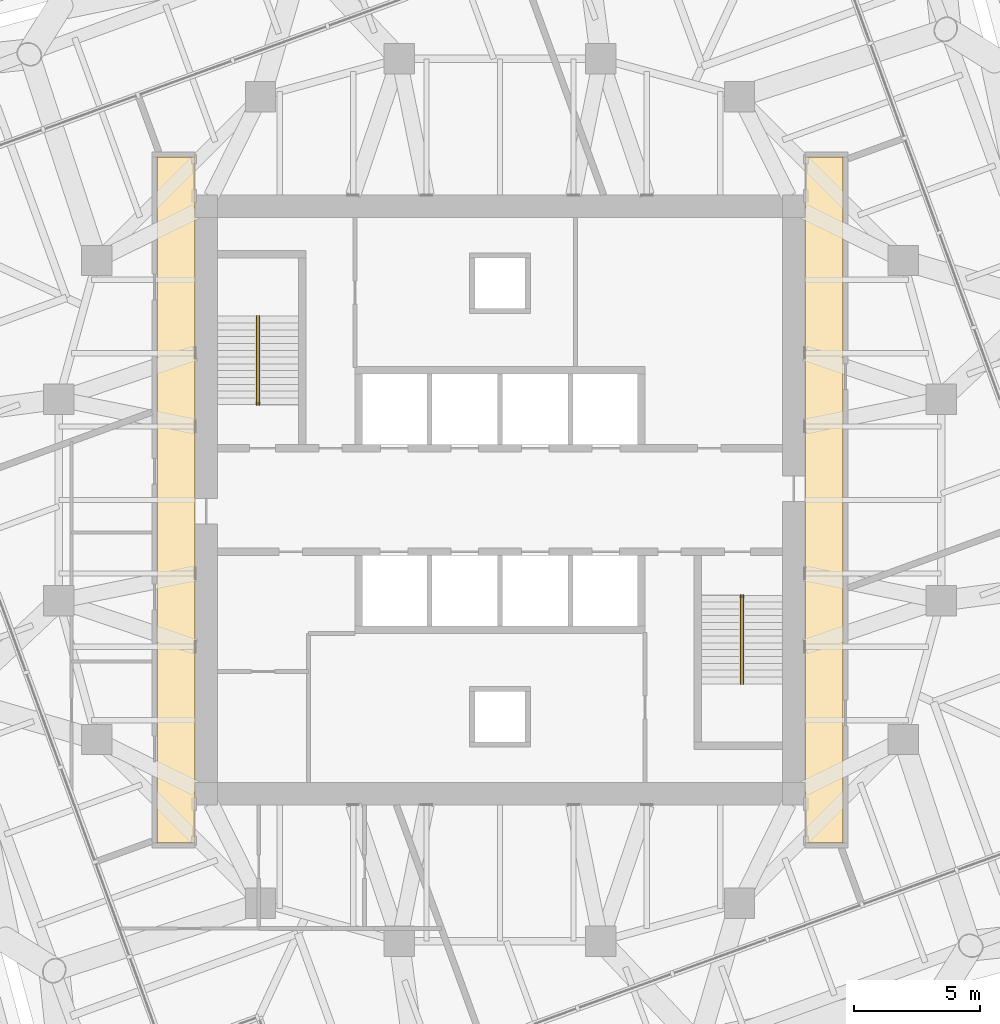
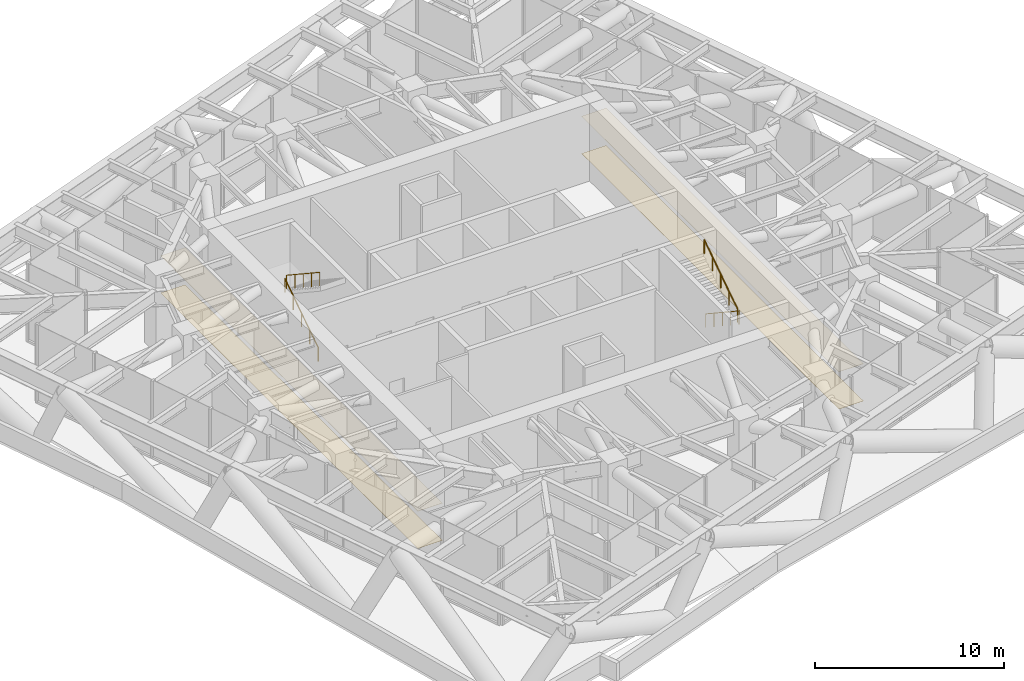
# One storey, part 12 of 12: 4 coverings, 4 railings, 2 elements without a shape of their own.
"""IFC4 building model written with IfcOpenShell, lengths in metres."""

from ifc_helpers import new_model, si_unit, direction, frame, origin, origin_2d, place, context, subcontext, project, spatial, polyline, circle, outline, extrude, material, layer, layer_set, type_object, element, aggregate, save


model = new_model("IFC4")

# Units and contexts
model_context = context("Model", 3, precision=1e-05, world=origin(), true_north=direction((0.0, 1.0)))
body_context = subcontext(model_context, "Body", "Model", "MODEL_VIEW")
ifc_project = project(units=[si_unit("LENGTHUNIT", "METRE"), si_unit("AREAUNIT", "SQUARE_METRE"), si_unit("VOLUMEUNIT", "CUBIC_METRE"), si_unit("PLANEANGLEUNIT", "RADIAN"), si_unit("MASSUNIT", "GRAM", prefix="KILO")], contexts=[model_context])

# Site, building, storey
site_placement = place(None, origin())
site = spatial("IfcSite", under=ifc_project, at=site_placement, CompositionType="ELEMENT")
building_placement = place(site_placement, origin())
building = spatial("IfcBuilding", under=site, at=building_placement, Name="Torsade Residences", CompositionType="ELEMENT")
storey_placement = place(building_placement, frame((0.0, 0.0, 138.800048828125)))
storey = spatial("IfcBuildingStorey", under=building, at=storey_placement, Name="L38", CompositionType="ELEMENT", Elevation=138.800048828125)

# Coverings
ifc_material_1 = material(Name="Nylon carpet tile on underlay", Category="textile")
ifc_layer_1 = layer(ifc_material_1, 0.010009765625)
ifc_layer_set_1 = layer_set([ifc_layer_1], Name="Nylon carpet tile on underlay")
covering_type_1 = type_object("IfcCoveringType", Name="CORRIDOR CARPET TILE 10", PredefinedType="FLOORING", material=ifc_layer_set_1)
covering_1_placement = place(storey_placement, origin())
element("IfcCovering", 1, at=covering_1_placement, inside=storey, type_object=covering_type_1, Name="Corridor carpet L38", PredefinedType="FLOORING", context=body_context, shape_type="SweptSolid", body=[
    extrude(outline(polyline([(53.60009765625, 16.39990234375), (53.60009765625, 43.60009765625), (52.10009765625, 43.60009765625), (52.10009765625, 16.39990234375), (53.60009765625, 16.39990234375)])), origin(), (0.0, 0.0, 1.0), 0.010009765625),
])
covering_2_placement = place(storey_placement, origin())
element("IfcCovering", 2, at=covering_2_placement, inside=storey, type_object=covering_type_1, Name="Corridor carpet west L38", PredefinedType="FLOORING", context=body_context, shape_type="SweptSolid", body=[
    extrude(outline(polyline([(27.89990234375, 16.39990234375), (27.89990234375, 43.60009765625), (26.39990234375, 43.60009765625), (26.39990234375, 16.39990234375), (27.89990234375, 16.39990234375)])), origin(), (0.0, 0.0, 1.0), 0.010009765625),
])
ifc_material_2 = material(Name="Plasterboard on suspended steel grid", Category="steel")
ifc_layer_2 = layer(ifc_material_2, 0.012939453125)
ifc_layer_set_2 = layer_set([ifc_layer_2], Name="Plasterboard on suspended steel grid")
covering_type_2 = type_object("IfcCoveringType", Name="CORRIDOR SUSPENDED CEILING 13", PredefinedType="CEILING", material=ifc_layer_set_2)
covering_3_placement = place(storey_placement, frame((0.0, 0.0, 2.39990234375)))
element("IfcCovering", 3, at=covering_3_placement, inside=storey, type_object=covering_type_2, Name="Corridor ceiling L38", PredefinedType="CEILING", context=body_context, shape_type="SweptSolid", body=[
    extrude(outline(polyline([(53.60009765625, 16.39990234375), (53.60009765625, 43.60009765625), (52.10009765625, 43.60009765625), (52.10009765625, 16.39990234375), (53.60009765625, 16.39990234375)])), origin(), (0.0, 0.0, 1.0), 0.012939453125),
])
covering_4_placement = place(storey_placement, frame((0.0, 0.0, 2.39990234375)))
element("IfcCovering", 4, at=covering_4_placement, inside=storey, type_object=covering_type_2, Name="Corridor ceiling west L38", PredefinedType="CEILING", context=body_context, shape_type="SweptSolid", body=[
    extrude(outline(polyline([(27.89990234375, 16.39990234375), (27.89990234375, 43.60009765625), (26.39990234375, 43.60009765625), (26.39990234375, 16.39990234375), (27.89990234375, 16.39990234375)])), origin(), (0.0, 0.0, 1.0), 0.012939453125),
])

# Stair, railings
ifc_material_3 = material(Name="Precast concrete 40 MPa", Category="concrete")
stair_type = type_object("IfcStairType", Name="HALF-TURN FIRE STAIR 1500x5000", PredefinedType="HALF_TURN_STAIR", material=ifc_material_3)
stair_1_placement = place(storey_placement, origin())
stair_1 = element("IfcStair", 5, at=stair_1_placement, inside=storey, type_object=stair_type, Name="Stair ST1 L38", PredefinedType="HALF_TURN_STAIR")
ifc_material_4 = material(Name="Steel handrail", Category="steel")
railing_type = type_object("IfcRailingType", Name="STAIR HANDRAIL 900", PredefinedType="HANDRAIL", material=ifc_material_4)
railing_1_placement = place(storey_placement, frame((30.35009765625, 33.780029296875, 0.178466796875)))
railing_1 = element("IfcRailing", 6, at=railing_1_placement, type_object=railing_type, Name="Handrail ST1 flight 1 L38", PredefinedType="HANDRAIL", context=body_context, shape_type="SweptSolid", body=[
    extrude(circle(Radius=0.02392578125, at=origin_2d()), frame((0.0, 0.0, 0.8759765625), z_axis=(0.0, 0.834070780157, 0.551657442339), x_axis=(-1.0, 0.0, 0.0)), (0.0, 0.0, 1.0), 4.208251953125),
    extrude(circle(Radius=0.02099609375, at=origin_2d()), origin(), (0.0, 0.0, 1.0), 0.851806640625),
    extrude(circle(Radius=0.02099609375, at=origin_2d()), frame((0.0, 0.87744140625, 0.580322265625)), (0.0, 0.0, 1.0), 0.851806640625),
    extrude(circle(Radius=0.02099609375, at=origin_2d()), frame((0.0, 1.7548828125, 1.16064453125)), (0.0, 0.0, 1.0), 0.851806640625),
    extrude(circle(Radius=0.02099609375, at=origin_2d()), frame((0.0, 2.632568359375, 1.7412109375)), (0.0, 0.0, 1.0), 0.851806640625),
    extrude(circle(Radius=0.02099609375, at=origin_2d()), frame((0.0, 3.510009765625, 2.321533203125)), (0.0, 0.0, 1.0), 0.851806640625),
])
railing_2_placement = place(storey_placement, frame((30.449951171875, 37.2900390625, 2.678466796875)))
railing_2 = element("IfcRailing", 7, at=railing_2_placement, type_object=railing_type, Name="Handrail ST1 flight 2 L38", PredefinedType="HANDRAIL", context=body_context, shape_type="SweptSolid", body=[
    extrude(circle(Radius=0.02392578125, at=origin_2d()), frame((0.0, 0.0, 0.8759765625), z_axis=(0.0, -0.834070780157, 0.551657442339), x_axis=(1.0, 0.0, 0.0)), (0.0, 0.0, 1.0), 4.208251953125),
    extrude(circle(Radius=0.02099609375, at=origin_2d()), origin(), (0.0, 0.0, 1.0), 0.851806640625),
    extrude(circle(Radius=0.02099609375, at=origin_2d()), frame((0.0, -0.87744140625, 0.580322265625)), (0.0, 0.0, 1.0), 0.851806640625),
    extrude(circle(Radius=0.02099609375, at=origin_2d()), frame((0.0, -1.7548828125, 1.16064453125)), (0.0, 0.0, 1.0), 0.851806640625),
    extrude(circle(Radius=0.02099609375, at=origin_2d()), frame((0.0, -2.632568359375, 1.7412109375)), (0.0, 0.0, 1.0), 0.851806640625),
    extrude(circle(Radius=0.02099609375, at=origin_2d()), frame((0.0, -3.510009765625, 2.321533203125)), (0.0, 0.0, 1.0), 0.851806640625),
])
aggregate(stair_1, [railing_1, railing_2])

stair_2_placement = place(storey_placement, origin())
stair_2 = element("IfcStair", 8, at=stair_2_placement, inside=storey, type_object=stair_type, Name="Stair ST2 L38", PredefinedType="HALF_TURN_STAIR")
railing_3_placement = place(storey_placement, frame((49.64990234375, 26.219970703125, 0.178466796875)))
railing_3 = element("IfcRailing", 9, at=railing_3_placement, type_object=railing_type, Name="Handrail ST2 flight 1 L38", PredefinedType="HANDRAIL", context=body_context, shape_type="SweptSolid", body=[
    extrude(circle(Radius=0.02392578125, at=origin_2d()), frame((0.0, 0.0, 0.8759765625), z_axis=(0.0, -0.834070780157, 0.551657442339), x_axis=(1.0, 0.0, 0.0)), (0.0, 0.0, 1.0), 4.208251953125),
    extrude(circle(Radius=0.02099609375, at=origin_2d()), origin(), (0.0, 0.0, 1.0), 0.851806640625),
    extrude(circle(Radius=0.02099609375, at=origin_2d()), frame((0.0, -0.87744140625, 0.580322265625)), (0.0, 0.0, 1.0), 0.851806640625),
    extrude(circle(Radius=0.02099609375, at=origin_2d()), frame((0.0, -1.7548828125, 1.16064453125)), (0.0, 0.0, 1.0), 0.851806640625),
    extrude(circle(Radius=0.02099609375, at=origin_2d()), frame((0.0, -2.632568359375, 1.7412109375)), (0.0, 0.0, 1.0), 0.851806640625),
    extrude(circle(Radius=0.02099609375, at=origin_2d()), frame((0.0, -3.510009765625, 2.321533203125)), (0.0, 0.0, 1.0), 0.851806640625),
])
railing_4_placement = place(storey_placement, frame((49.550048828125, 22.7099609375, 2.678466796875)))
railing_4 = element("IfcRailing", 10, at=railing_4_placement, type_object=railing_type, Name="Handrail ST2 flight 2 L38", PredefinedType="HANDRAIL", context=body_context, shape_type="SweptSolid", body=[
    extrude(circle(Radius=0.02392578125, at=origin_2d()), frame((0.0, 0.0, 0.8759765625), z_axis=(0.0, 0.834070780157, 0.551657442339), x_axis=(-1.0, 0.0, 0.0)), (0.0, 0.0, 1.0), 4.208251953125),
    extrude(circle(Radius=0.02099609375, at=origin_2d()), origin(), (0.0, 0.0, 1.0), 0.851806640625),
    extrude(circle(Radius=0.02099609375, at=origin_2d()), frame((0.0, 0.87744140625, 0.580322265625)), (0.0, 0.0, 1.0), 0.851806640625),
    extrude(circle(Radius=0.02099609375, at=origin_2d()), frame((0.0, 1.7548828125, 1.16064453125)), (0.0, 0.0, 1.0), 0.851806640625),
    extrude(circle(Radius=0.02099609375, at=origin_2d()), frame((0.0, 2.632568359375, 1.7412109375)), (0.0, 0.0, 1.0), 0.851806640625),
    extrude(circle(Radius=0.02099609375, at=origin_2d()), frame((0.0, 3.510009765625, 2.321533203125)), (0.0, 0.0, 1.0), 0.851806640625),
])
aggregate(stair_2, [railing_3, railing_4])

save(model, "model.ifc")
